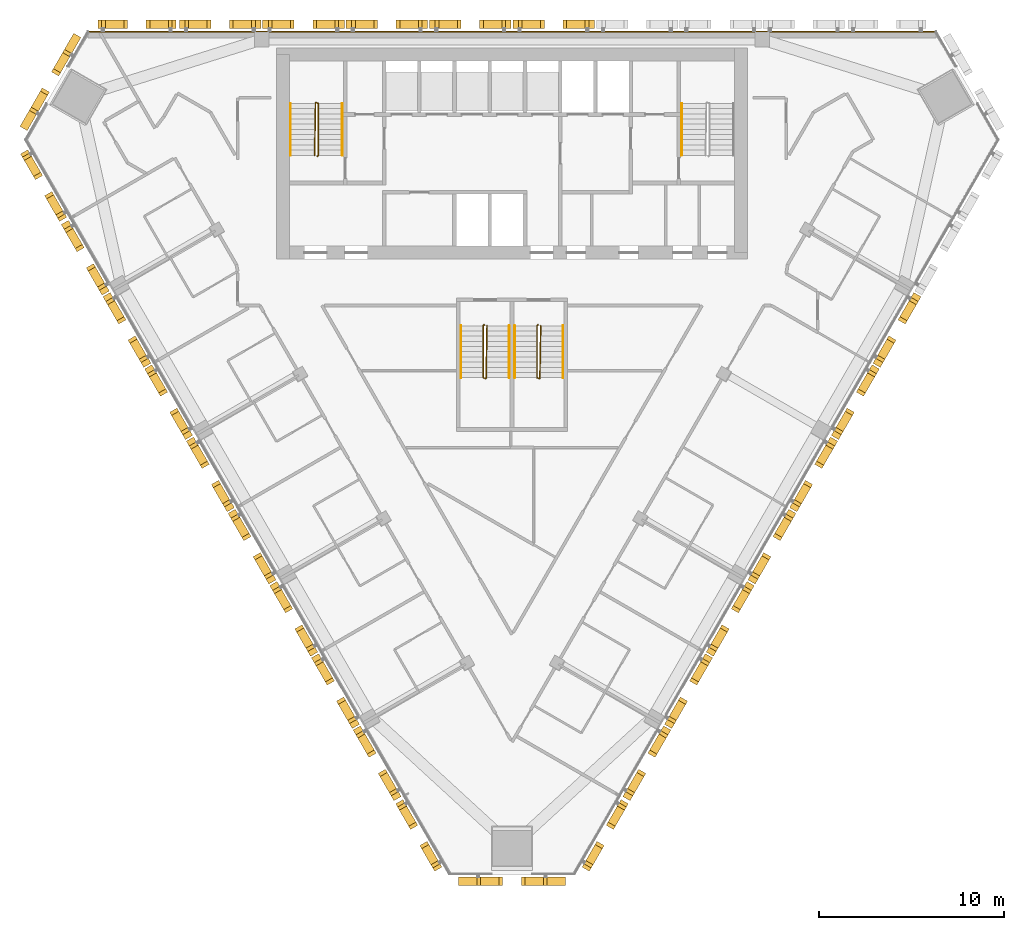
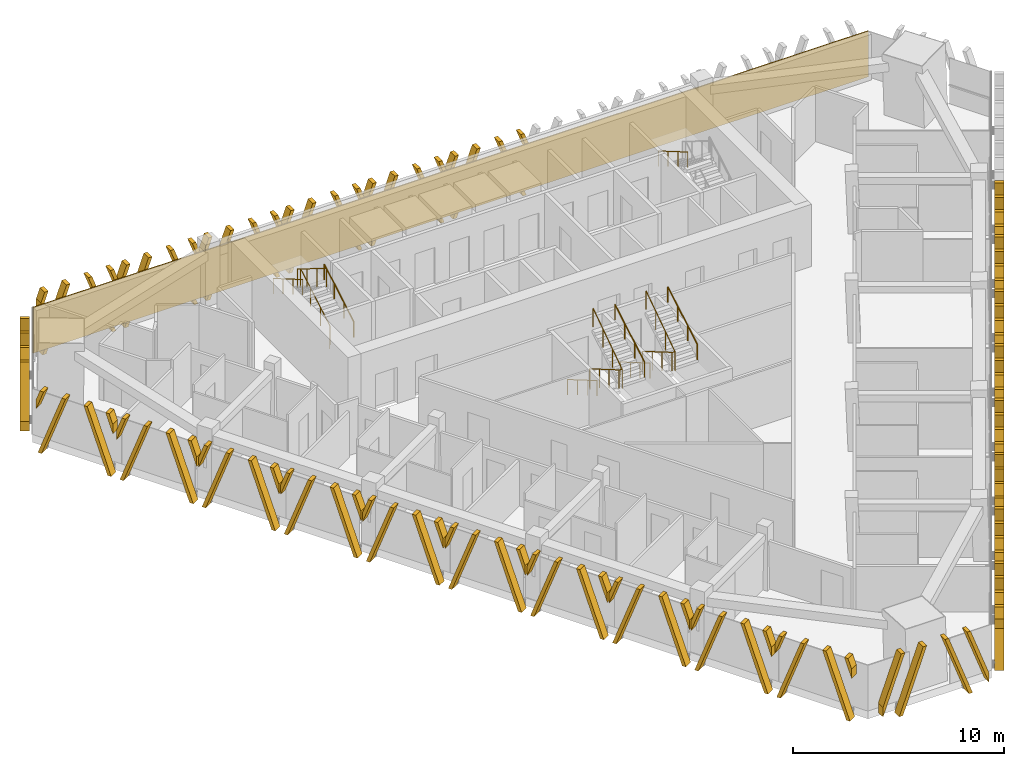
# One storey, part 14 of 16: 26 shading devices, 10 railings, 1 covering.
"""IFC4 building model written with IfcOpenShell, lengths in metres."""

from ifc_helpers import new_model, si_unit, direction, frame, frame_2d, origin, origin_2d, place, context, subcontext, project, spatial, polyline, rectangle, circle, outline, extrude, source, transform, mapped, material, layer, layer_set, type_object, element, save


model = new_model("IFC4")

# Units and contexts
model_context = context("Model", 3, precision=1e-05, world=origin(), true_north=direction((0.0, 1.0)))
body_context = subcontext(model_context, "Body", "Model", "MODEL_VIEW")
ifc_project = project(units=[si_unit("LENGTHUNIT", "METRE"), si_unit("AREAUNIT", "SQUARE_METRE"), si_unit("VOLUMEUNIT", "CUBIC_METRE"), si_unit("PLANEANGLEUNIT", "RADIAN"), si_unit("MASSUNIT", "GRAM", prefix="KILO")], contexts=[model_context])

# Site, building, storey
site_placement = place(None, origin())
site = spatial("IfcSite", under=ifc_project, at=site_placement, CompositionType="ELEMENT")
building_placement = place(site_placement, origin())
building = spatial("IfcBuilding", under=site, at=building_placement, Name="Altiplano Prism Tower", CompositionType="ELEMENT")
storey_placement = place(building_placement, frame((0.0, 0.0, 178.199951171875)))
storey = spatial("IfcBuildingStorey", under=building, at=storey_placement, Name="L46", CompositionType="ELEMENT", Elevation=178.199951171875)

# Railings
ifc_material_1 = material(Name="Steel S355", Category="steel")
railing_type_1 = type_object("IfcRailingType", Name="Stair guard 1100", PredefinedType="GUARDRAIL", material=ifc_material_1)
railing_1_placement = place(storey_placement, frame((74.5, 98.25, 0.0)))
element("IfcRailing", 1, at=railing_1_placement, inside=storey, type_object=railing_type_1, Name="L46 ST1 stair guard 1", PredefinedType="GUARDRAIL", context=body_context, shape_type="SweptSolid", body=[
    extrude(circle(Radius=0.02392578125, at=origin_2d()), frame((0.0, 0.0, 1.076171875), z_axis=(0.280808744504, 0.280808744504, 0.917765164963), x_axis=(-0.707106781187, 0.707106781187, 0.0)), (0.0, 0.0, 1.0), 0.17822265625),
    extrude(circle(Radius=0.02392578125, at=origin_2d()), frame((0.050048828125, 0.050048828125, 1.23974609375), z_axis=(0.0, 0.863360870873, 0.504586966384), x_axis=(-1.0, 0.0, 0.0)), (0.0, 0.0, 1.0), 3.2431640625),
    extrude(circle(Radius=0.02392578125, at=origin_2d()), frame((0.050048828125, 2.85009765625, 2.8759765625), z_axis=(-0.949145278916, 0.314838433982, 0.0), x_axis=(-0.314838433982, -0.949145278916, 0.0)), (0.0, 0.0, 1.0), 0.158203125),
    extrude(circle(Radius=0.02392578125, at=origin_2d()), frame((-0.10009765625, 2.89990234375, 2.8759765625), z_axis=(-0.01477401265, -0.845377694409, 0.533964682676), x_axis=(0.999847325713, -0.01747355902, 0.0)), (0.0, 0.0, 1.0), 3.37109375),
    extrude(circle(Radius=0.02099609375, at=origin_2d()), origin(), (0.0, 0.0, 1.0), 1.052001953125),
    extrude(circle(Radius=0.02099609375, at=origin_2d()), frame((0.050048828125, 0.050048828125, 0.16357421875)), (0.0, 0.0, 1.0), 1.052001953125),
    extrude(circle(Radius=0.02099609375, at=origin_2d()), frame((0.050048828125, 0.9833984375, 0.708984375)), (0.0, 0.0, 1.0), 1.052001953125),
    extrude(circle(Radius=0.02099609375, at=origin_2d()), frame((0.050048828125, 1.916748046875, 1.254638671875)), (0.0, 0.0, 1.0), 1.052001953125),
    extrude(circle(Radius=0.02099609375, at=origin_2d()), frame((0.050048828125, 2.85009765625, 1.800048828125)), (0.0, 0.0, 1.0), 1.052001953125),
    extrude(circle(Radius=0.02099609375, at=origin_2d()), frame((-0.10009765625, 2.89990234375, 1.800048828125)), (0.0, 0.0, 1.0), 1.052001953125),
    extrude(circle(Radius=0.02099609375, at=origin_2d()), frame((-0.11669921875, 1.949951171875, 2.400146484375)), (0.0, 0.0, 1.0), 1.052001953125),
    extrude(circle(Radius=0.02099609375, at=origin_2d()), frame((-0.13330078125, 1.0, 3.0)), (0.0, 0.0, 1.0), 1.052001953125),
    extrude(circle(Radius=0.02099609375, at=origin_2d()), frame((-0.14990234375, 0.050048828125, 3.60009765625)), (0.0, 0.0, 1.0), 1.052001953125),
])
railing_2_placement = place(storey_placement, frame((83.5, 89.14990234375, 0.0)))
element("IfcRailing", 2, at=railing_2_placement, inside=storey, type_object=railing_type_1, Name="L46 ST3A stair guard 1", PredefinedType="GUARDRAIL", context=body_context, shape_type="SweptSolid", body=[
    extrude(circle(Radius=0.02392578125, at=origin_2d()), frame((0.0, 0.0, 1.076171875), z_axis=(-0.280916556609, -0.279546231943, 0.91811752648), x_axis=(0.705375805398, -0.708833529934, 0.0)), (0.0, 0.0, 1.0), 0.17822265625),
    extrude(circle(Radius=0.02392578125, at=origin_2d()), frame((-0.050048828125, -0.0498046875, 1.23974609375), z_axis=(0.0, -0.863360870873, 0.504586966384), x_axis=(1.0, 0.0, 0.0)), (0.0, 0.0, 1.0), 3.2431640625),
    extrude(circle(Radius=0.02392578125, at=origin_2d()), frame((-0.050048828125, -2.849853515625, 2.8759765625), z_axis=(0.948683298051, -0.316227766017, 0.0), x_axis=(0.316227766017, 0.948683298051, 0.0)), (0.0, 0.0, 1.0), 0.158203125),
    extrude(circle(Radius=0.02392578125, at=origin_2d()), frame((0.10009765625, -2.89990234375, 2.8759765625), z_axis=(0.014773108175, 0.84539835705, 0.533931993021), x_axis=(-0.999847351862, 0.017472062685, 0.0)), (0.0, 0.0, 1.0), 3.371337890625),
    extrude(circle(Radius=0.02099609375, at=origin_2d()), origin(), (0.0, 0.0, 1.0), 1.052001953125),
    extrude(circle(Radius=0.02099609375, at=origin_2d()), frame((-0.050048828125, -0.0498046875, 0.16357421875)), (0.0, 0.0, 1.0), 1.052001953125),
    extrude(circle(Radius=0.02099609375, at=origin_2d()), frame((-0.050048828125, -0.983154296875, 0.708984375)), (0.0, 0.0, 1.0), 1.052001953125),
    extrude(circle(Radius=0.02099609375, at=origin_2d()), frame((-0.050048828125, -1.91650390625, 1.254638671875)), (0.0, 0.0, 1.0), 1.052001953125),
    extrude(circle(Radius=0.02099609375, at=origin_2d()), frame((-0.050048828125, -2.849853515625, 1.800048828125)), (0.0, 0.0, 1.0), 1.052001953125),
    extrude(circle(Radius=0.02099609375, at=origin_2d()), frame((0.10009765625, -2.89990234375, 1.800048828125)), (0.0, 0.0, 1.0), 1.052001953125),
    extrude(circle(Radius=0.02099609375, at=origin_2d()), frame((0.11669921875, -1.949951171875, 2.400146484375)), (0.0, 0.0, 1.0), 1.052001953125),
    extrude(circle(Radius=0.02099609375, at=origin_2d()), frame((0.13330078125, -0.999755859375, 3.0)), (0.0, 0.0, 1.0), 1.052001953125),
    extrude(circle(Radius=0.02099609375, at=origin_2d()), frame((0.14990234375, -0.0498046875, 3.60009765625)), (0.0, 0.0, 1.0), 1.052001953125),
])
railing_3_placement = place(storey_placement, frame((86.39990234375, 89.14990234375, 0.0)))
element("IfcRailing", 3, at=railing_3_placement, inside=storey, type_object=railing_type_1, Name="L46 ST3B stair guard 1", PredefinedType="GUARDRAIL", context=body_context, shape_type="SweptSolid", body=[
    extrude(circle(Radius=0.02392578125, at=origin_2d()), frame((0.0, 0.0, 1.076171875), z_axis=(-0.279653641804, -0.279653641804, 0.918470294159), x_axis=(0.707106781187, -0.707106781187, 0.0)), (0.0, 0.0, 1.0), 0.177978515625),
    extrude(circle(Radius=0.02392578125, at=origin_2d()), frame((-0.0498046875, -0.0498046875, 1.23974609375), z_axis=(0.0, -0.863360870873, 0.504586966384), x_axis=(1.0, 0.0, 0.0)), (0.0, 0.0, 1.0), 3.2431640625),
    extrude(circle(Radius=0.02392578125, at=origin_2d()), frame((-0.0498046875, -2.849853515625, 2.8759765625), z_axis=(0.948528701346, -0.316691178788, 0.0), x_axis=(0.316691178788, 0.948528701346, 0.0)), (0.0, 0.0, 1.0), 0.157958984375),
    extrude(circle(Radius=0.02392578125, at=origin_2d()), frame((0.10009765625, -2.89990234375, 2.8759765625), z_axis=(0.014845509451, 0.845397450405, 0.533931420407), x_axis=(-0.999845851991, 0.017557683712, 0.0)), (0.0, 0.0, 1.0), 3.371337890625),
    extrude(circle(Radius=0.02099609375, at=origin_2d()), origin(), (0.0, 0.0, 1.0), 1.052001953125),
    extrude(circle(Radius=0.02099609375, at=origin_2d()), frame((-0.0498046875, -0.0498046875, 0.16357421875)), (0.0, 0.0, 1.0), 1.052001953125),
    extrude(circle(Radius=0.02099609375, at=origin_2d()), frame((-0.0498046875, -0.983154296875, 0.708984375)), (0.0, 0.0, 1.0), 1.052001953125),
    extrude(circle(Radius=0.02099609375, at=origin_2d()), frame((-0.0498046875, -1.91650390625, 1.254638671875)), (0.0, 0.0, 1.0), 1.052001953125),
    extrude(circle(Radius=0.02099609375, at=origin_2d()), frame((-0.0498046875, -2.849853515625, 1.800048828125)), (0.0, 0.0, 1.0), 1.052001953125),
    extrude(circle(Radius=0.02099609375, at=origin_2d()), frame((0.10009765625, -2.89990234375, 1.800048828125)), (0.0, 0.0, 1.0), 1.052001953125),
    extrude(circle(Radius=0.02099609375, at=origin_2d()), frame((0.11669921875, -1.949951171875, 2.400146484375)), (0.0, 0.0, 1.0), 1.052001953125),
    extrude(circle(Radius=0.02099609375, at=origin_2d()), frame((0.133544921875, -0.999755859375, 3.0)), (0.0, 0.0, 1.0), 1.052001953125),
    extrude(circle(Radius=0.02099609375, at=origin_2d()), frame((0.150146484375, -0.0498046875, 3.60009765625)), (0.0, 0.0, 1.0), 1.052001953125),
])
railing_type_2 = type_object("IfcRailingType", Name="Stair handrail 900", PredefinedType="HANDRAIL", material=ifc_material_1)
railing_4_placement = place(storey_placement, frame((75.85009765625, 98.300048828125, 0.16357421875)))
element("IfcRailing", 4, at=railing_4_placement, inside=storey, type_object=railing_type_2, Name="L46 ST1 stair handrail 1", PredefinedType="HANDRAIL", context=body_context, shape_type="SweptSolid", body=[
    extrude(circle(Radius=0.02392578125, at=origin_2d()), frame((0.0, 0.0, 0.8759765625), z_axis=(0.0, 0.863360870873, 0.504586966384), x_axis=(-1.0, 0.0, 0.0)), (0.0, 0.0, 1.0), 3.2431640625),
    extrude(circle(Radius=0.02099609375, at=origin_2d()), origin(), (0.0, 0.0, 1.0), 0.851806640625),
    extrude(circle(Radius=0.02099609375, at=origin_2d()), frame((0.0, 0.933349609375, 0.54541015625)), (0.0, 0.0, 1.0), 0.851806640625),
    extrude(circle(Radius=0.02099609375, at=origin_2d()), frame((0.0, 1.86669921875, 1.091064453125)), (0.0, 0.0, 1.0), 0.851806640625),
    extrude(circle(Radius=0.02099609375, at=origin_2d()), frame((0.0, 2.800048828125, 1.636474609375)), (0.0, 0.0, 1.0), 0.851806640625),
])
for number, where, name in (
    (5, (73.050048828125, 101.10009765625, 1.963623046875), "L46 ST1 stair handrail 2"),
    (6, (94.14990234375, 101.10009765625, 1.963623046875), "L46 ST2 stair handrail 2"),
    (7, (82.25, 89.10009765625, 0.16357421875), "L46 ST3A stair handrail 1"),
):
    element("IfcRailing", number, at=place(storey_placement, frame(where)), inside=storey, type_object=railing_type_2, Name=name, PredefinedType="HANDRAIL", context=body_context, shape_type="SweptSolid", body=[
        extrude(circle(Radius=0.02392578125, at=origin_2d()), frame((0.0, 0.0, 0.8759765625), z_axis=(0.0, -0.863360870873, 0.504586966384), x_axis=(1.0, 0.0, 0.0)), (0.0, 0.0, 1.0), 3.2431640625),
        extrude(circle(Radius=0.02099609375, at=origin_2d()), origin(), (0.0, 0.0, 1.0), 0.851806640625),
        extrude(circle(Radius=0.02099609375, at=origin_2d()), frame((0.0, -0.933349609375, 0.54541015625)), (0.0, 0.0, 1.0), 0.851806640625),
        extrude(circle(Radius=0.02099609375, at=origin_2d()), frame((0.0, -1.86669921875, 1.091064453125)), (0.0, 0.0, 1.0), 0.851806640625),
        extrude(circle(Radius=0.02099609375, at=origin_2d()), frame((0.0, -2.800048828125, 1.636474609375)), (0.0, 0.0, 1.0), 0.851806640625),
    ])
railing_5_placement = place(storey_placement, frame((84.85009765625, 86.300048828125, 1.963623046875)))
element("IfcRailing", 8, at=railing_5_placement, inside=storey, type_object=railing_type_2, Name="L46 ST3A stair handrail 2", PredefinedType="HANDRAIL", context=body_context, shape_type="SweptSolid", body=[
    extrude(circle(Radius=0.02392578125, at=origin_2d()), frame((0.0, 0.0, 0.8759765625), z_axis=(0.0, 0.863360870873, 0.504586966384), x_axis=(-1.0, 0.0, 0.0)), (0.0, 0.0, 1.0), 3.2431640625),
    extrude(circle(Radius=0.02099609375, at=origin_2d()), origin(), (0.0, 0.0, 1.0), 0.851806640625),
    extrude(circle(Radius=0.02099609375, at=origin_2d()), frame((0.0, 0.933349609375, 0.54541015625)), (0.0, 0.0, 1.0), 0.851806640625),
    extrude(circle(Radius=0.02099609375, at=origin_2d()), frame((0.0, 1.86669921875, 1.091064453125)), (0.0, 0.0, 1.0), 0.851806640625),
    extrude(circle(Radius=0.02099609375, at=origin_2d()), frame((0.0, 2.800048828125, 1.636474609375)), (0.0, 0.0, 1.0), 0.851806640625),
])
railing_6_placement = place(storey_placement, frame((85.14990234375, 89.10009765625, 0.16357421875)))
element("IfcRailing", 9, at=railing_6_placement, inside=storey, type_object=railing_type_2, Name="L46 ST3B stair handrail 1", PredefinedType="HANDRAIL", context=body_context, shape_type="SweptSolid", body=[
    extrude(circle(Radius=0.02392578125, at=origin_2d()), frame((0.0, 0.0, 0.8759765625), z_axis=(0.0, -0.863360870873, 0.504586966384), x_axis=(1.0, 0.0, 0.0)), (0.0, 0.0, 1.0), 3.2431640625),
    extrude(circle(Radius=0.02099609375, at=origin_2d()), origin(), (0.0, 0.0, 1.0), 0.851806640625),
    extrude(circle(Radius=0.02099609375, at=origin_2d()), frame((0.0, -0.933349609375, 0.54541015625)), (0.0, 0.0, 1.0), 0.851806640625),
    extrude(circle(Radius=0.02099609375, at=origin_2d()), frame((0.0, -1.86669921875, 1.091064453125)), (0.0, 0.0, 1.0), 0.851806640625),
    extrude(circle(Radius=0.02099609375, at=origin_2d()), frame((0.0, -2.800048828125, 1.636474609375)), (0.0, 0.0, 1.0), 0.851806640625),
])
railing_7_placement = place(storey_placement, frame((87.75, 86.300048828125, 1.963623046875)))
element("IfcRailing", 10, at=railing_7_placement, inside=storey, type_object=railing_type_2, Name="L46 ST3B stair handrail 2", PredefinedType="HANDRAIL", context=body_context, shape_type="SweptSolid", body=[
    extrude(circle(Radius=0.02392578125, at=origin_2d()), frame((0.0, 0.0, 0.8759765625), z_axis=(0.0, 0.863360870873, 0.504586966384), x_axis=(-1.0, 0.0, 0.0)), (0.0, 0.0, 1.0), 3.2431640625),
    extrude(circle(Radius=0.02099609375, at=origin_2d()), origin(), (0.0, 0.0, 1.0), 0.851806640625),
    extrude(circle(Radius=0.02099609375, at=origin_2d()), frame((0.0, 0.933349609375, 0.54541015625)), (0.0, 0.0, 1.0), 0.851806640625),
    extrude(circle(Radius=0.02099609375, at=origin_2d()), frame((0.0, 1.86669921875, 1.091064453125)), (0.0, 0.0, 1.0), 0.851806640625),
    extrude(circle(Radius=0.02099609375, at=origin_2d()), frame((0.0, 2.800048828125, 1.636474609375)), (0.0, 0.0, 1.0), 0.851806640625),
])

# Covering
ifc_material_2 = material(Name="Warm limestone cast stone", Category="masonry")
ifc_layer = layer(ifc_material_2, 0.06005859375)
ifc_layer_set = layer_set([ifc_layer], Name="Warm limestone cast stone")
covering_type = type_object("IfcCoveringType", Name="Stone cladding 60", PredefinedType="CLADDING", material=ifc_layer_set)
covering_placement = place(storey_placement, frame((62.11328125, 104.969970703125, 0.0), z_axis=(0.0, 0.0, 1.0), x_axis=(1.0, 0.0, 0.0)))
element("IfcCovering", 11, at=covering_placement, inside=storey, type_object=covering_type, Name="Stone cladding north face L46", PredefinedType="CLADDING", context=body_context, shape_type="SweptSolid", body=[
    extrude(rectangle(XDim=45.7734375, YDim=0.06005859375, at=frame_2d((22.88671875, 0.0))), origin(), (0.0, 0.0, 1.0), 2.650146484375),
])

# Shading devices
shading_device_type_1 = type_object("IfcShadingDeviceType", Name="Stone fin panel, standard unit", PredefinedType="USERDEFINED", material=ifc_material_2)
shared_shape_1 = source(origin(), body_context, "Body", "SweptSolid", [
    extrude(outline(polyline([(-2.199951171875, 2.226318359375), (-1.699951171875, 3.60009765625), (-1.89990234375, 3.60009765625), (-2.199951171875, 2.77587890625), (-2.199951171875, 2.226318359375)])), frame((0.0, -0.14990234375, 0.0), z_axis=(0.0, -1.0, 0.0), x_axis=(1.0, 0.0, 0.0)), (0.0, 0.0, 1.0), 0.4501953125),
    extrude(outline(polyline([(-2.01025390625, 0.0), (-1.810302734375, 0.0), (-0.5, 3.60009765625), (-0.699951171875, 3.60009765625), (-2.01025390625, 0.0)])), frame((0.0, -0.14990234375, 0.0), z_axis=(0.0, -1.0, 0.0), x_axis=(1.0, 0.0, 0.0)), (0.0, 0.0, 1.0), 0.4501953125),
    extrude(outline(polyline([(1.810302734375, 0.0), (2.01025390625, 0.0), (0.699951171875, 3.60009765625), (0.5, 3.60009765625), (1.810302734375, 0.0)])), frame((0.0, -0.14990234375, 0.0), z_axis=(0.0, -1.0, 0.0), x_axis=(1.0, 0.0, 0.0)), (0.0, 0.0, 1.0), 0.4501953125),
    extrude(outline(polyline([(2.199951171875, 2.77587890625), (1.89990234375, 3.60009765625), (1.699951171875, 3.60009765625), (2.199951171875, 2.226318359375), (2.199951171875, 2.77587890625)])), frame((0.0, -0.14990234375, 0.0), z_axis=(0.0, -1.0, 0.0), x_axis=(1.0, 0.0, 0.0)), (0.0, 0.0, 1.0), 0.4501953125),
])
shading_device_1_placement = place(storey_placement, origin())
element("IfcShadingDevice", 12, at=shading_device_1_placement, inside=storey, type_object=shading_device_type_1, Name="Fin L46 north face 5", ObjectType="FIN", PredefinedType="USERDEFINED", context=body_context, shape_type="MappedRepresentation", body=[
    mapped(shared_shape_1, transform((87.25, 105.0, -0.449951171875), x_axis=(-1.0, 0.0, 0.0), y_axis=(0.0, -1.0, 0.0), z_axis=(0.0, 0.0, 1.0))),
])
shading_device_2_placement = place(storey_placement, origin())
element("IfcShadingDevice", 13, at=shading_device_2_placement, inside=storey, type_object=shading_device_type_1, Name="Fin L46 north face 6", ObjectType="FIN", PredefinedType="USERDEFINED", context=body_context, shape_type="MappedRepresentation", body=[
    mapped(shared_shape_1, transform((82.75, 105.0, -0.449951171875), x_axis=(-1.0, 0.0, 0.0), y_axis=(0.0, -1.0, 0.0), z_axis=(0.0, 0.0, 1.0))),
])
shading_device_3_placement = place(storey_placement, origin())
element("IfcShadingDevice", 14, at=shading_device_3_placement, inside=storey, type_object=shading_device_type_1, Name="Fin L46 north face 7", ObjectType="FIN", PredefinedType="USERDEFINED", context=body_context, shape_type="MappedRepresentation", body=[
    mapped(shared_shape_1, transform((78.25, 105.0, -0.449951171875), x_axis=(-1.0, 0.0, 0.0), y_axis=(0.0, -1.0, 0.0), z_axis=(0.0, 0.0, 1.0))),
])
shading_device_4_placement = place(storey_placement, origin())
element("IfcShadingDevice", 15, at=shading_device_4_placement, inside=storey, type_object=shading_device_type_1, Name="Fin L46 north face 8", ObjectType="FIN", PredefinedType="USERDEFINED", context=body_context, shape_type="MappedRepresentation", body=[
    mapped(shared_shape_1, transform((73.75, 105.0, -0.449951171875), x_axis=(-1.0, 0.0, 0.0), y_axis=(0.0, -1.0, 0.0), z_axis=(0.0, 0.0, 1.0))),
])
shading_device_5_placement = place(storey_placement, origin())
element("IfcShadingDevice", 16, at=shading_device_5_placement, inside=storey, type_object=shading_device_type_1, Name="Fin L46 north face 9", ObjectType="FIN", PredefinedType="USERDEFINED", context=body_context, shape_type="MappedRepresentation", body=[
    mapped(shared_shape_1, transform((69.25, 105.0, -0.449951171875), x_axis=(-1.0, 0.0, 0.0), y_axis=(0.0, -1.0, 0.0), z_axis=(0.0, 0.0, 1.0))),
])
shading_device_6_placement = place(storey_placement, origin())
element("IfcShadingDevice", 17, at=shading_device_6_placement, inside=storey, type_object=shading_device_type_1, Name="Fin L46 south-west face 2", ObjectType="FIN", PredefinedType="USERDEFINED", context=body_context, shape_type="MappedRepresentation", body=[
    mapped(shared_shape_1, transform((62.298095703125, 92.958740234375, -0.449951171875), x_axis=(0.499999996041, -0.86602540607, 0.0), y_axis=(0.86602540607, 0.499999996041, 0.0), z_axis=(0.0, 0.0, 1.0))),
])
shading_device_7_placement = place(storey_placement, origin())
element("IfcShadingDevice", 18, at=shading_device_7_placement, inside=storey, type_object=shading_device_type_1, Name="Fin L46 south-west face 3", ObjectType="FIN", PredefinedType="USERDEFINED", context=body_context, shape_type="MappedRepresentation", body=[
    mapped(shared_shape_1, transform((64.548095703125, 89.061767578125, -0.449951171875), x_axis=(0.499999996041, -0.86602540607, 0.0), y_axis=(0.86602540607, 0.499999996041, 0.0), z_axis=(0.0, 0.0, 1.0))),
])
shading_device_8_placement = place(storey_placement, origin())
element("IfcShadingDevice", 19, at=shading_device_8_placement, inside=storey, type_object=shading_device_type_1, Name="Fin L46 south-west face 4", ObjectType="FIN", PredefinedType="USERDEFINED", context=body_context, shape_type="MappedRepresentation", body=[
    mapped(shared_shape_1, transform((66.798095703125, 85.16455078125, -0.449951171875), x_axis=(0.499999996041, -0.86602540607, 0.0), y_axis=(0.86602540607, 0.499999996041, 0.0), z_axis=(0.0, 0.0, 1.0))),
])
shading_device_9_placement = place(storey_placement, origin())
element("IfcShadingDevice", 20, at=shading_device_9_placement, inside=storey, type_object=shading_device_type_1, Name="Fin L46 south-west face 5", ObjectType="FIN", PredefinedType="USERDEFINED", context=body_context, shape_type="MappedRepresentation", body=[
    mapped(shared_shape_1, transform((69.048095703125, 81.267578125, -0.449951171875), x_axis=(0.499999996041, -0.86602540607, 0.0), y_axis=(0.86602540607, 0.499999996041, 0.0), z_axis=(0.0, 0.0, 1.0))),
])
shading_device_10_placement = place(storey_placement, origin())
element("IfcShadingDevice", 21, at=shading_device_10_placement, inside=storey, type_object=shading_device_type_1, Name="Fin L46 south-west face 6", ObjectType="FIN", PredefinedType="USERDEFINED", context=body_context, shape_type="MappedRepresentation", body=[
    mapped(shared_shape_1, transform((71.298095703125, 77.370361328125, -0.449951171875), x_axis=(0.499999996041, -0.86602540607, 0.0), y_axis=(0.86602540607, 0.499999996041, 0.0), z_axis=(0.0, 0.0, 1.0))),
])
shading_device_11_placement = place(storey_placement, origin())
element("IfcShadingDevice", 22, at=shading_device_11_placement, inside=storey, type_object=shading_device_type_1, Name="Fin L46 south-west face 7", ObjectType="FIN", PredefinedType="USERDEFINED", context=body_context, shape_type="MappedRepresentation", body=[
    mapped(shared_shape_1, transform((73.548095703125, 73.47314453125, -0.449951171875), x_axis=(0.499999996041, -0.86602540607, 0.0), y_axis=(0.86602540607, 0.499999996041, 0.0), z_axis=(0.0, 0.0, 1.0))),
])
shading_device_12_placement = place(storey_placement, origin())
element("IfcShadingDevice", 23, at=shading_device_12_placement, inside=storey, type_object=shading_device_type_1, Name="Fin L46 south-west face 8", ObjectType="FIN", PredefinedType="USERDEFINED", context=body_context, shape_type="MappedRepresentation", body=[
    mapped(shared_shape_1, transform((75.798095703125, 69.576171875, -0.449951171875), x_axis=(0.499999996041, -0.86602540607, 0.0), y_axis=(0.86602540607, 0.499999996041, 0.0), z_axis=(0.0, 0.0, 1.0))),
])
shading_device_13_placement = place(storey_placement, origin())
element("IfcShadingDevice", 24, at=shading_device_13_placement, inside=storey, type_object=shading_device_type_1, Name="Fin L46 south-west face 9", ObjectType="FIN", PredefinedType="USERDEFINED", context=body_context, shape_type="MappedRepresentation", body=[
    mapped(shared_shape_1, transform((78.048095703125, 65.678955078125, -0.449951171875), x_axis=(0.499999996041, -0.86602540607, 0.0), y_axis=(0.86602540607, 0.499999996041, 0.0), z_axis=(0.0, 0.0, 1.0))),
])
shading_device_14_placement = place(storey_placement, origin())
element("IfcShadingDevice", 25, at=shading_device_14_placement, inside=storey, type_object=shading_device_type_1, Name="Fin L46 south-east face 2", ObjectType="FIN", PredefinedType="USERDEFINED", context=body_context, shape_type="MappedRepresentation", body=[
    mapped(shared_shape_1, transform((91.951904296875, 65.678955078125, -0.449951171875), x_axis=(0.499999996041, 0.86602540607, 0.0), y_axis=(-0.86602540607, 0.499999996041, 0.0), z_axis=(0.0, 0.0, 1.0))),
])
shading_device_15_placement = place(storey_placement, origin())
element("IfcShadingDevice", 26, at=shading_device_15_placement, inside=storey, type_object=shading_device_type_1, Name="Fin L46 south-east face 3", ObjectType="FIN", PredefinedType="USERDEFINED", context=body_context, shape_type="MappedRepresentation", body=[
    mapped(shared_shape_1, transform((94.201904296875, 69.576171875, -0.449951171875), x_axis=(0.499999996041, 0.86602540607, 0.0), y_axis=(-0.86602540607, 0.499999996041, 0.0), z_axis=(0.0, 0.0, 1.0))),
])
shading_device_16_placement = place(storey_placement, origin())
element("IfcShadingDevice", 27, at=shading_device_16_placement, inside=storey, type_object=shading_device_type_1, Name="Fin L46 south-east face 4", ObjectType="FIN", PredefinedType="USERDEFINED", context=body_context, shape_type="MappedRepresentation", body=[
    mapped(shared_shape_1, transform((96.451904296875, 73.47314453125, -0.449951171875), x_axis=(0.499999996041, 0.86602540607, 0.0), y_axis=(-0.86602540607, 0.499999996041, 0.0), z_axis=(0.0, 0.0, 1.0))),
])
shading_device_17_placement = place(storey_placement, origin())
element("IfcShadingDevice", 28, at=shading_device_17_placement, inside=storey, type_object=shading_device_type_1, Name="Fin L46 south-east face 5", ObjectType="FIN", PredefinedType="USERDEFINED", context=body_context, shape_type="MappedRepresentation", body=[
    mapped(shared_shape_1, transform((98.701904296875, 77.370361328125, -0.449951171875), x_axis=(0.499999996041, 0.86602540607, 0.0), y_axis=(-0.86602540607, 0.499999996041, 0.0), z_axis=(0.0, 0.0, 1.0))),
])
shading_device_18_placement = place(storey_placement, origin())
element("IfcShadingDevice", 29, at=shading_device_18_placement, inside=storey, type_object=shading_device_type_1, Name="Fin L46 south-east face 6", ObjectType="FIN", PredefinedType="USERDEFINED", context=body_context, shape_type="MappedRepresentation", body=[
    mapped(shared_shape_1, transform((100.951904296875, 81.267578125, -0.449951171875), x_axis=(0.499999996041, 0.86602540607, 0.0), y_axis=(-0.86602540607, 0.499999996041, 0.0), z_axis=(0.0, 0.0, 1.0))),
])
shading_device_19_placement = place(storey_placement, origin())
element("IfcShadingDevice", 30, at=shading_device_19_placement, inside=storey, type_object=shading_device_type_1, Name="Fin L46 south-east face 7", ObjectType="FIN", PredefinedType="USERDEFINED", context=body_context, shape_type="MappedRepresentation", body=[
    mapped(shared_shape_1, transform((103.201904296875, 85.16455078125, -0.449951171875), x_axis=(0.499999996041, 0.86602540607, 0.0), y_axis=(-0.86602540607, 0.499999996041, 0.0), z_axis=(0.0, 0.0, 1.0))),
])
shading_device_20_placement = place(storey_placement, origin())
element("IfcShadingDevice", 31, at=shading_device_20_placement, inside=storey, type_object=shading_device_type_1, Name="Fin L46 south-east face 8", ObjectType="FIN", PredefinedType="USERDEFINED", context=body_context, shape_type="MappedRepresentation", body=[
    mapped(shared_shape_1, transform((105.451904296875, 89.061767578125, -0.449951171875), x_axis=(0.499999996041, 0.86602540607, 0.0), y_axis=(-0.86602540607, 0.499999996041, 0.0), z_axis=(0.0, 0.0, 1.0))),
])
shading_device_type_2 = type_object("IfcShadingDeviceType", Name="Stone fin panel, wide closing bay", PredefinedType="USERDEFINED", material=ifc_material_2)
shared_shape_2 = source(origin(), body_context, "Body", "SweptSolid", [
    extrude(outline(polyline([(-2.10009765625, 2.5009765625), (-1.699951171875, 3.60009765625), (-1.89990234375, 3.60009765625), (-2.10009765625, 3.050537109375), (-2.10009765625, 2.5009765625)])), frame((0.0, -0.14990234375, 0.0), z_axis=(0.0, -1.0, 0.0), x_axis=(1.0, 0.0, 0.0)), (0.0, 0.0, 1.0), 0.4501953125),
    extrude(outline(polyline([(-2.01025390625, 0.0), (-1.810302734375, 0.0), (-0.5, 3.60009765625), (-0.699951171875, 3.60009765625), (-2.01025390625, 0.0)])), frame((0.0, -0.14990234375, 0.0), z_axis=(0.0, -1.0, 0.0), x_axis=(1.0, 0.0, 0.0)), (0.0, 0.0, 1.0), 0.4501953125),
    extrude(outline(polyline([(1.810302734375, 0.0), (2.01025390625, 0.0), (0.699951171875, 3.60009765625), (0.5, 3.60009765625), (1.810302734375, 0.0)])), frame((0.0, -0.14990234375, 0.0), z_axis=(0.0, -1.0, 0.0), x_axis=(1.0, 0.0, 0.0)), (0.0, 0.0, 1.0), 0.4501953125),
    extrude(outline(polyline([(2.10009765625, 3.050537109375), (1.89990234375, 3.60009765625), (1.699951171875, 3.60009765625), (2.10009765625, 2.5009765625), (2.10009765625, 3.050537109375)])), frame((0.0, -0.14990234375, 0.0), z_axis=(0.0, -1.0, 0.0), x_axis=(1.0, 0.0, 0.0)), (0.0, 0.0, 1.0), 0.4501953125),
])
shading_device_21_placement = place(storey_placement, origin())
element("IfcShadingDevice", 32, at=shading_device_21_placement, inside=storey, type_object=shading_device_type_2, Name="Fin L46 north face 10", ObjectType="FIN", PredefinedType="USERDEFINED", context=body_context, shape_type="MappedRepresentation", body=[
    mapped(shared_shape_2, transform((64.756591796875, 105.0, -0.449951171875), x_axis=(-1.0, 0.0, 0.0), y_axis=(0.0, -1.0, 0.0), z_axis=(0.0, 0.0, 1.0))),
])
shading_device_22_placement = place(storey_placement, origin())
element("IfcShadingDevice", 33, at=shading_device_22_placement, inside=storey, type_object=shading_device_type_2, Name="Fin L46 south-west face 1", ObjectType="FIN", PredefinedType="USERDEFINED", context=body_context, shape_type="MappedRepresentation", body=[
    mapped(shared_shape_2, transform((60.05126953125, 96.85009765625, -0.449951171875), x_axis=(0.499999996041, -0.86602540607, 0.0), y_axis=(0.86602540607, 0.499999996041, 0.0), z_axis=(0.0, 0.0, 1.0))),
])
shading_device_23_placement = place(storey_placement, origin())
element("IfcShadingDevice", 34, at=shading_device_23_placement, inside=storey, type_object=shading_device_type_2, Name="Fin L46 south-west face 10", ObjectType="FIN", PredefinedType="USERDEFINED", context=body_context, shape_type="MappedRepresentation", body=[
    mapped(shared_shape_2, transform((80.294677734375, 61.78759765625, -0.449951171875), x_axis=(0.499999996041, -0.86602540607, 0.0), y_axis=(0.86602540607, 0.499999996041, 0.0), z_axis=(0.0, 0.0, 1.0))),
])
shading_device_24_placement = place(storey_placement, origin())
element("IfcShadingDevice", 35, at=shading_device_24_placement, inside=storey, type_object=shading_device_type_2, Name="Fin L46 south-east face 1", ObjectType="FIN", PredefinedType="USERDEFINED", context=body_context, shape_type="MappedRepresentation", body=[
    mapped(shared_shape_2, transform((89.705322265625, 61.78759765625, -0.449951171875), x_axis=(0.499999996041, 0.86602540607, 0.0), y_axis=(-0.86602540607, 0.499999996041, 0.0), z_axis=(0.0, 0.0, 1.0))),
])
shading_device_type_3 = type_object("IfcShadingDeviceType", Name="Stone fin panel, chamfer unit", PredefinedType="USERDEFINED", material=ifc_material_2)
shared_shape_3 = source(origin(), body_context, "Body", "SweptSolid", [
    extrude(outline(polyline([(-2.89990234375, 0.302978515625), (-1.699951171875, 3.60009765625), (-1.89990234375, 3.60009765625), (-2.89990234375, 0.8525390625), (-2.89990234375, 0.302978515625)])), frame((0.0, -0.14990234375, 0.0), z_axis=(0.0, -1.0, 0.0), x_axis=(1.0, 0.0, 0.0)), (0.0, 0.0, 1.0), 0.4501953125),
    extrude(outline(polyline([(-2.01025390625, 0.0), (-1.810302734375, 0.0), (-0.5, 3.60009765625), (-0.699951171875, 3.60009765625), (-2.01025390625, 0.0)])), frame((0.0, -0.14990234375, 0.0), z_axis=(0.0, -1.0, 0.0), x_axis=(1.0, 0.0, 0.0)), (0.0, 0.0, 1.0), 0.4501953125),
    extrude(outline(polyline([(1.810302734375, 0.0), (2.01025390625, 0.0), (0.699951171875, 3.60009765625), (0.5, 3.60009765625), (1.810302734375, 0.0)])), frame((0.0, -0.14990234375, 0.0), z_axis=(0.0, -1.0, 0.0), x_axis=(1.0, 0.0, 0.0)), (0.0, 0.0, 1.0), 0.4501953125),
    extrude(outline(polyline([(2.89990234375, 0.8525390625), (1.89990234375, 3.60009765625), (1.699951171875, 3.60009765625), (2.89990234375, 0.302978515625), (2.89990234375, 0.8525390625)])), frame((0.0, -0.14990234375, 0.0), z_axis=(0.0, -1.0, 0.0), x_axis=(1.0, 0.0, 0.0)), (0.0, 0.0, 1.0), 0.4501953125),
])
shading_device_25_placement = place(storey_placement, origin())
element("IfcShadingDevice", 36, at=shading_device_25_placement, inside=storey, type_object=shading_device_type_3, Name="Fin L46 north-west chamfer 1", ObjectType="FIN", PredefinedType="USERDEFINED", context=body_context, shape_type="MappedRepresentation", body=[
    mapped(shared_shape_3, transform((60.42138671875, 102.069580078125, -0.449951171875), x_axis=(-0.500000022036, -0.866025391062, 0.0), y_axis=(0.866025391062, -0.500000022036, 0.0), z_axis=(0.0, 0.0, 1.0))),
])
shading_device_26_placement = place(storey_placement, origin())
element("IfcShadingDevice", 37, at=shading_device_26_placement, inside=storey, type_object=shading_device_type_3, Name="Fin L46 south chamfer 1", ObjectType="FIN", PredefinedType="USERDEFINED", context=body_context, shape_type="MappedRepresentation", body=[
    mapped(shared_shape_3, transform((85.0, 59.49853515625, -0.449951171875), x_axis=(1.0, 0.0, 0.0), y_axis=(0.0, 1.0, 0.0), z_axis=(0.0, 0.0, 1.0))),
])

save(model, "model.ifc")
